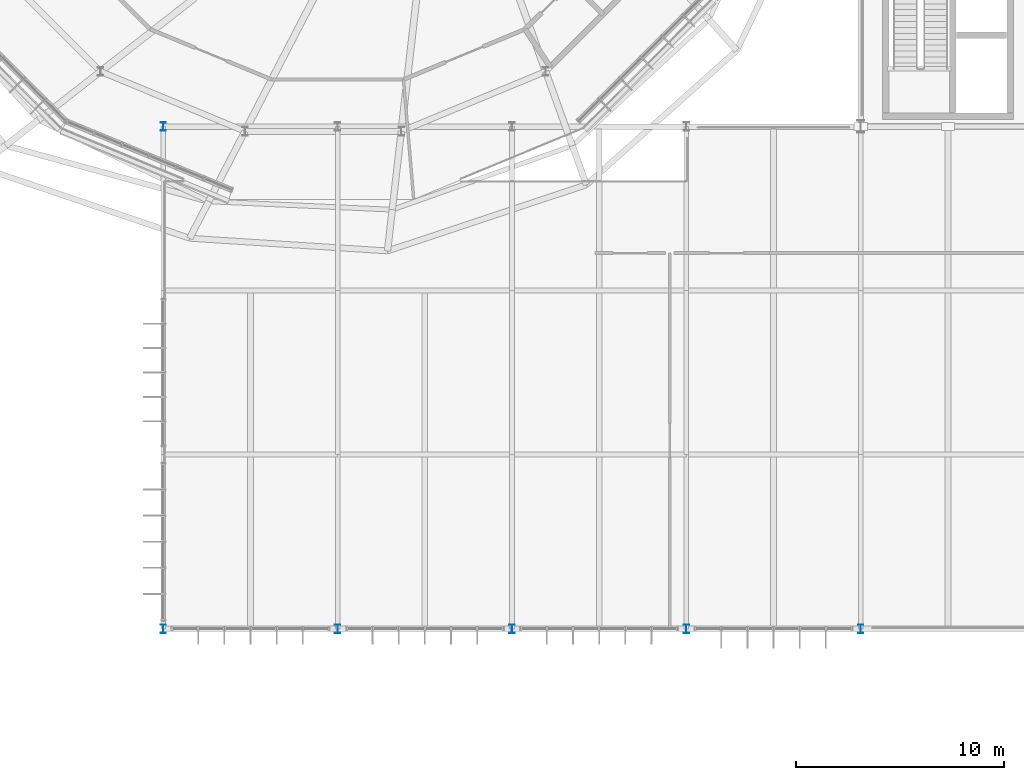
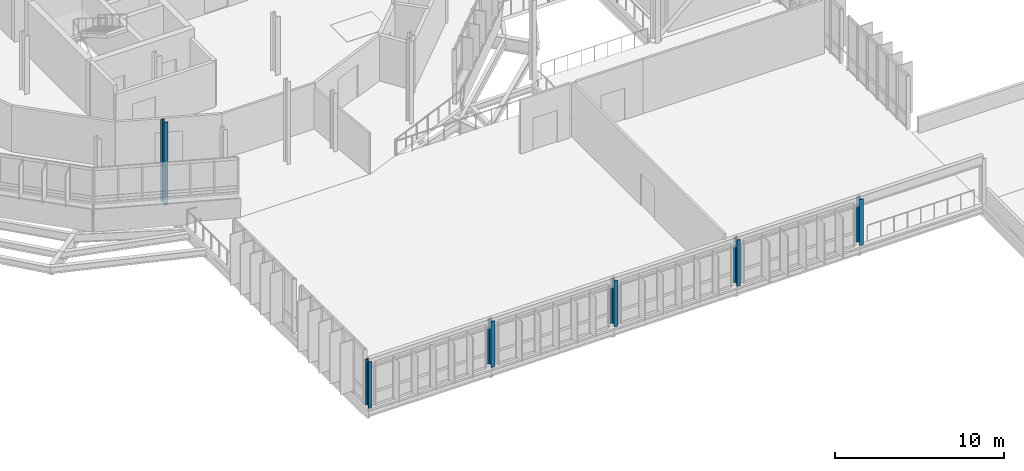
# One storey, part 1 of 107: 6 columns.
"""IFC4 building model written with IfcOpenShell, lengths in metres."""

from ifc_helpers import new_model, si_unit, derived_unit, direction, frame, origin, origin_2d, place, context, subcontext, project, spatial, i_section, extrude, material, material_profile, profile_set, type_object, element, save


model = new_model("IFC4")

# Units and contexts
model_context = context("Model", 3, precision=1e-05, world=origin(), true_north=direction((0.0, 1.0)))
body_context = subcontext(model_context, "Body", "Model", "MODEL_VIEW")
ifc_project = project(units=[si_unit("LENGTHUNIT", "METRE"), si_unit("AREAUNIT", "SQUARE_METRE"), si_unit("VOLUMEUNIT", "CUBIC_METRE"), si_unit("PLANEANGLEUNIT", "RADIAN"), si_unit("MASSUNIT", "GRAM", prefix="KILO"), derived_unit("THERMALTRANSMITTANCEUNIT", [(si_unit("MASSUNIT", "GRAM", prefix="KILO"), 1), (si_unit("TIMEUNIT", "SECOND"), -3), (si_unit("THERMODYNAMICTEMPERATUREUNIT", "KELVIN"), -1)])], contexts=[model_context])

# Site, building, storey
site_placement = place(None, origin())
site = spatial("IfcSite", under=ifc_project, at=site_placement, CompositionType="ELEMENT")
building_placement = place(site_placement, origin())
building = spatial("IfcBuilding", under=site, at=building_placement, Name="Makaiwela Harbour Ferry Terminal", CompositionType="ELEMENT")
storey_placement = place(building_placement, frame((0.0, 0.0, 9.60009765625)))
storey = spatial("IfcBuildingStorey", under=building, at=storey_placement, Name="L02", CompositionType="ELEMENT", Elevation=9.60009765625)

# Columns
ifc_material = material(Name="Steel ASTM A992 Grade 50", Category="steel")
ifc_material_profile = material_profile(ifc_material, i_section(OverallWidth=0.260986328125, OverallDepth=0.4189453125, WebThickness=0.01171875, FlangeThickness=0.019287109375, at=origin_2d()), Name="W16X77")
ifc_profile_set = profile_set([ifc_material_profile], Name="Steel ASTM A992 Grade 50")
column_type = type_object("IfcColumnType", Name="STR-COL-W16X77", PredefinedType="COLUMN", material=ifc_profile_set)
column_1_placement = place(storey_placement, frame((29.39990234375, 25.199951171875, 0.0), z_axis=(0.0, 0.0, 1.0), x_axis=(1.0, 0.0, 0.0)))
element("IfcColumn", 1, at=column_1_placement, inside=storey, type_object=column_type, Name="Structural Column C-04", PredefinedType="COLUMN", context=body_context, shape_type="SweptSolid", body=[
    extrude(i_section(OverallWidth=0.260986328125, OverallDepth=0.4189453125, WebThickness=0.01171875, FlangeThickness=0.019287109375, at=origin_2d()), origin(), (0.0, 0.0, 1.0), 3.326904296875),
])
column_2_placement = place(storey_placement, frame((29.39990234375, 49.39990234375, 0.0), z_axis=(0.0, 0.0, 1.0), x_axis=(1.0, 0.0, 0.0)))
element("IfcColumn", 2, at=column_2_placement, inside=storey, type_object=column_type, Name="Structural Column C-04", PredefinedType="COLUMN", context=body_context, shape_type="SweptSolid", body=[
    extrude(i_section(OverallWidth=0.260986328125, OverallDepth=0.4189453125, WebThickness=0.01171875, FlangeThickness=0.019287109375, at=origin_2d()), origin(), (0.0, 0.0, 1.0), 5.976806640625),
])
for number, where, z_axis, x_axis, name in (
    (3, (37.800048828125, 25.199951171875, 0.0), (0.0, 0.0, 1.0), (1.0, 0.0, 0.0), "Structural Column C-04"),
    (4, (46.199951171875, 25.199951171875, 0.0), (0.0, 0.0, 1.0), (1.0, 0.0, 0.0), "Structural Column C-04"),
    (5, (54.60009765625, 25.199951171875, 0.0), (0.0, 0.0, 1.0), (1.0, 0.0, 0.0), "Structural Column C-04"),
    (6, (63.0, 25.199951171875, 0.0), (0.0, 0.0, 1.0), (1.0, 0.0, 0.0), "Structural Column C-04"),
):
    element("IfcColumn", number, at=place(storey_placement, frame(where, z_axis=z_axis, x_axis=x_axis)), inside=storey, type_object=column_type, Name=name, PredefinedType="COLUMN", context=body_context, shape_type="SweptSolid", body=[
        extrude(i_section(OverallWidth=0.260986328125, OverallDepth=0.4189453125, WebThickness=0.01171875, FlangeThickness=0.019287109375, at=origin_2d()), origin(), (0.0, 0.0, 1.0), 3.326904296875),
    ])

save(model, "model.ifc")
